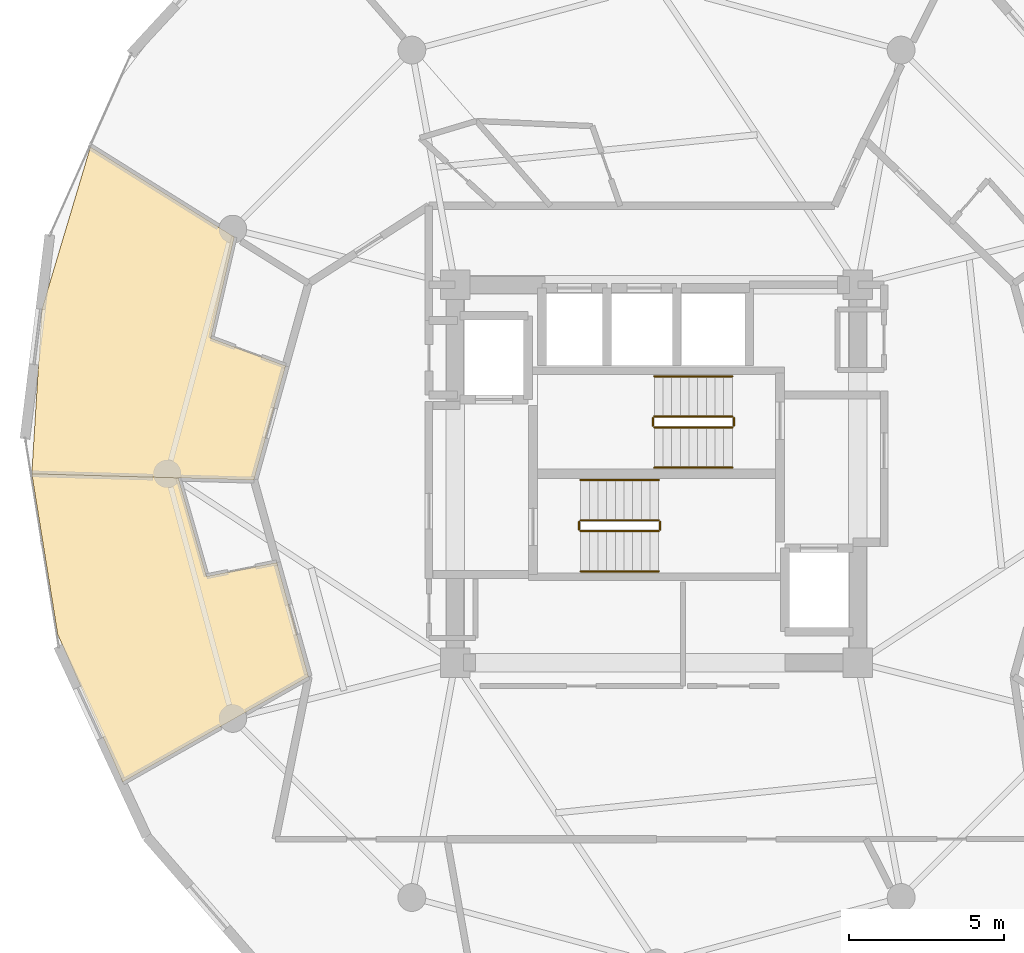
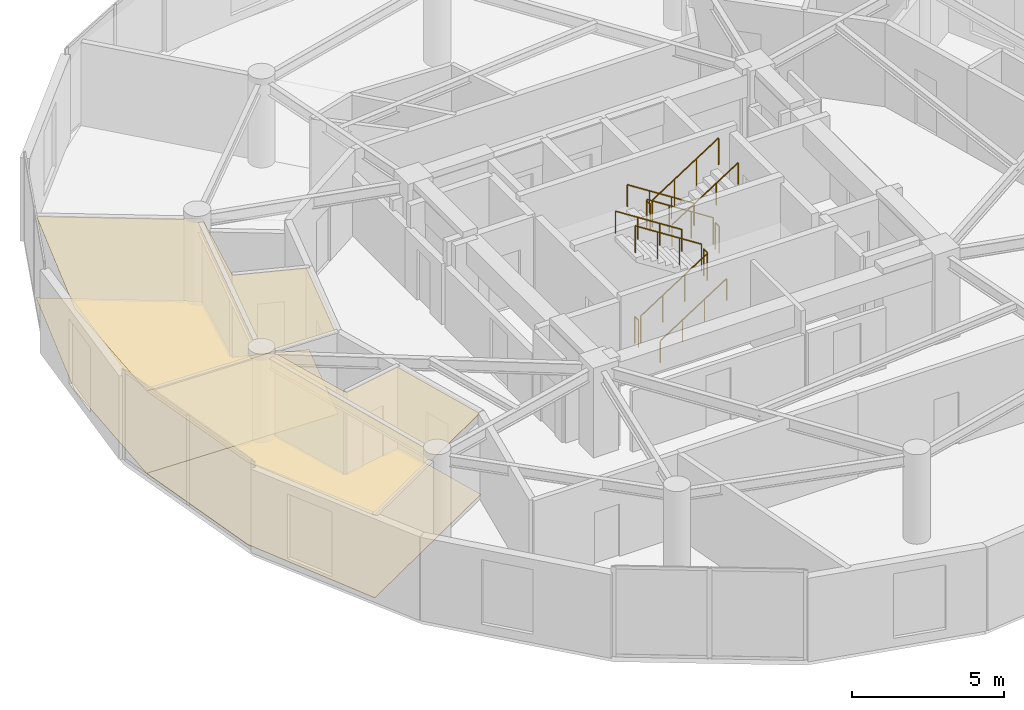
# One storey, part 21 of 22: 12 railings, 4 coverings.
"""IFC4 building model written with IfcOpenShell, lengths in metres."""

import ifcopenshell
import ifcopenshell.guid

model = None  # the IFC model being written
_history = None  # IfcOwnerHistory: only IFC2X3 demands one
_inside = {}  # id of a spatial element -> (the spatial element, [elements in it])
_under = {}  # id of a project, library or spatial element -> (it, [spatial elements below it])
_declared = {}  # id of a project -> (the project, [libraries it declares])
_typed = {}  # id of a type object -> (the type object, [elements of that type])
_made_of = {}  # id of a material, layer set ... -> (it, [elements and type objects made of it])


def new_model(schema):
    """Start an empty IFC model of exactly this schema.

    Asked for "IFC4X3", IfcOpenShell would pick the latest addendum, in which some entities
    have other attributes; the version numbers below select the first issue.
    IFC2X3 requires an IfcOwnerHistory on every rooted entity: one is made here for all.
    """
    global model, _history
    if schema == "IFC4X3":
        model = ifcopenshell.file(schema_version=(4, 3, 0, 0))
    else:
        model = ifcopenshell.file(schema=schema)
    _inside.clear()
    _under.clear()
    _declared.clear()
    _typed.clear()
    _made_of.clear()
    _history = None
    if model.schema == "IFC2X3":
        org = make("IfcOrganization", Name="unknown")
        user = make(
            "IfcPersonAndOrganization",
            ThePerson=make("IfcPerson", FamilyName="unknown"),
            TheOrganization=org,
        )
        app = make(
            "IfcApplication",
            ApplicationDeveloper=org,
            Version="unknown",
            ApplicationFullName="unknown",
            ApplicationIdentifier="unknown",
        )
        _history = make(
            "IfcOwnerHistory",
            OwningUser=user,
            OwningApplication=app,
            ChangeAction="ADDED",
            CreationDate=0,
        )
    return model


def make(cls, **values):
    """One entity of the class cls with the attributes given. An attribute that is None is left unset."""
    return model.create_entity(
        cls, **{name: value for name, value in values.items() if value is not None}
    )


def rooted(cls, **values):
    """An entity with a GlobalId (a new one), such as an element, a storey or a relation."""
    return make(cls, GlobalId=ifcopenshell.guid.new(), OwnerHistory=_history, **values)


def si_unit(unit_type, name, prefix=None):
    """IfcSIUnit, for example si_unit("LENGTHUNIT", "METRE", prefix="MILLI")."""
    return make("IfcSIUnit", UnitType=unit_type, Prefix=prefix, Name=name)


def assignment(units):
    """IfcUnitAssignment: the units of a project."""
    return None if units is None else make("IfcUnitAssignment", Units=units)


def point(xyz):
    """IfcCartesianPoint."""
    return None if xyz is None else make("IfcCartesianPoint", Coordinates=xyz)


def direction(xyz):
    """IfcDirection."""
    return None if xyz is None else make("IfcDirection", DirectionRatios=xyz)


def frame(location, z_axis=None, x_axis=None):
    """IfcAxis2Placement3D, a coordinate frame: its origin and axes. An axis left out is left unset."""
    return make(
        "IfcAxis2Placement3D",
        Location=point(location),
        Axis=direction(z_axis),
        RefDirection=direction(x_axis),
    )


def frame_2d(location, x_axis=None):
    """IfcAxis2Placement2D, a coordinate frame in the plane: its origin and x axis."""
    return make(
        "IfcAxis2Placement2D", Location=point(location), RefDirection=direction(x_axis)
    )


def origin():
    """The frame at (0, 0, 0) with its axes left unset."""
    return frame((0.0, 0.0, 0.0))


def origin_2d():
    """The frame at (0, 0) in the plane with its x axis left unset."""
    return frame_2d((0.0, 0.0))


def place(relative_to, where):
    """IfcLocalPlacement: puts the frame where relative to a parent placement (None: the world)."""
    return make(
        "IfcLocalPlacement", PlacementRelTo=relative_to, RelativePlacement=where
    )


def context(
    kind, dimensions, precision=None, world=None, true_north=None, identifier=None
):
    """IfcGeometricRepresentationContext, for example the 3D "Model" context."""
    return make(
        "IfcGeometricRepresentationContext",
        ContextIdentifier=identifier,
        ContextType=kind,
        CoordinateSpaceDimension=dimensions,
        Precision=precision,
        WorldCoordinateSystem=world,
        TrueNorth=true_north,
    )


def subcontext(parent, identifier, kind, view, scale=None):
    """IfcGeometricRepresentationSubContext, for example "Body" below "Model"."""
    return make(
        "IfcGeometricRepresentationSubContext",
        ContextIdentifier=identifier,
        ContextType=kind,
        ParentContext=parent,
        TargetScale=scale,
        TargetView=view,
    )


def project(units=None, contexts=None):
    """IfcProject with its units and contexts."""
    return rooted(
        "IfcProject",
        Name="project",
        RepresentationContexts=contexts,
        UnitsInContext=assignment(units),
    )


def spatial(cls, under=None, at=None, **own):
    """A site, building, storey or space (cls), placed at a placement, below another one or the project."""
    s = rooted(cls, ObjectPlacement=at, **own)
    if under is not None:
        _under.setdefault(under.id(), (under, []))[1].append(s)
    return s


def polyline(points):
    """IfcPolyline through the points."""
    return make("IfcPolyline", Points=[point(p) for p in points])


def profile(cls, at=None, kind="AREA", **sizes):
    """A parametric profile (cls). Its sizes go by their IFC names, for example OverallWidth=200.0."""
    return make(cls, ProfileType=kind, Position=at, **sizes)


def circle(**sizes):
    """IfcCircleProfileDef."""
    return profile("IfcCircleProfileDef", **sizes)


def outline(outer, holes=None, kind="AREA"):
    """IfcArbitraryClosedProfileDef: a profile drawn as a closed curve; with holes, ...WithVoids."""
    if holes is None:
        return make("IfcArbitraryClosedProfileDef", ProfileType=kind, OuterCurve=outer)
    return make(
        "IfcArbitraryProfileDefWithVoids",
        ProfileType=kind,
        OuterCurve=outer,
        InnerCurves=holes,
    )


def extrude(swept, where, along, depth):
    """IfcExtrudedAreaSolid: the profile swept, set in the frame where, extruded along a direction by depth."""
    return make(
        "IfcExtrudedAreaSolid",
        SweptArea=swept,
        Position=where,
        ExtrudedDirection=direction(along),
        Depth=depth,
    )


def shape(context_of_items, identifier, shape_type, items):
    """IfcShapeRepresentation: the items that make up one representation, for example the "Body"."""
    return make(
        "IfcShapeRepresentation",
        ContextOfItems=context_of_items,
        RepresentationIdentifier=identifier,
        RepresentationType=shape_type,
        Items=items,
    )


def material(Name=None, Category=None):
    """IfcMaterial."""
    return make("IfcMaterial", Name=Name, Category=Category)


def layer(
    of_material, thickness, ventilated=None, Name=None, Category=None, Priority=None
):
    """IfcMaterialLayer: one layer of a wall or slab, of a material (None: an air gap)."""
    return make(
        "IfcMaterialLayer",
        Material=of_material,
        LayerThickness=thickness,
        IsVentilated=ventilated,
        Name=Name,
        Category=Category,
        Priority=Priority,
    )


def layer_set(layers, Name=None):
    """IfcMaterialLayerSet."""
    return make("IfcMaterialLayerSet", MaterialLayers=layers, LayerSetName=Name)


def made_of(thing, what):
    """Note that an element or type object is made of a material, layer set ...; save() writes the relation."""
    if what is not None:
        _made_of.setdefault(what.id(), (what, []))[1].append(thing)
    return thing


def type_object(cls, material=None, **own):
    """A type object (cls), such as IfcWallType, which elements share."""
    return made_of(rooted(cls, **own), material)


def element(
    cls,
    number,
    at=None,
    inside=None,
    cuts=None,
    type_object=None,
    material=None,
    context=None,
    identifier="Body",
    shape_type=None,
    held_by="IfcProductDefinitionShape",
    body=None,
    shapes=None,
    **own,
):
    """One element of the class cls, such as IfcWall. Its Tag is "e" and its number.

    at: its placement. inside: the storey or other place that contains it. cuts: it is an
    opening in that element (IfcRelVoidsElement). A single representation is given by context,
    identifier, shape_type and body (its items); several are given by shapes. held_by: the class
    of the entity that holds the representations. save() writes the other relations.
    """
    e = rooted(cls, Tag="e%d" % number, ObjectPlacement=at, **own)
    if body is not None:
        shapes = [shape(context, identifier, shape_type, body)]
    if shapes is not None:
        e.Representation = make(held_by, Representations=shapes)
    if inside is not None:
        _inside.setdefault(inside.id(), (inside, []))[1].append(e)
    if cuts is not None:
        rooted(
            "IfcRelVoidsElement", RelatingBuildingElement=cuts, RelatedOpeningElement=e
        )
    if type_object is not None:
        _typed.setdefault(type_object.id(), (type_object, []))[1].append(e)
    return made_of(e, material)


def aggregate(whole, parts):
    """IfcRelAggregates: a whole, such as a stair, and the parts it consists of."""
    return rooted("IfcRelAggregates", RelatingObject=whole, RelatedObjects=parts)


def save(model, path):
    """Write the relations noted so far, then the file.

    IfcRelAggregates (storeys below a building ...), IfcRelContainedInSpatialStructure (elements
    in a storey), IfcRelDefinesByType, IfcRelAssociatesMaterial and IfcRelDeclares: one each for
    every whole, place, type object, material and project.
    """
    for whole, parts in _under.values():
        aggregate(whole, parts)
    for where, things in _inside.values():
        rooted(
            "IfcRelContainedInSpatialStructure",
            RelatedElements=things,
            RelatingStructure=where,
        )
    for kind, things in _typed.values():
        rooted("IfcRelDefinesByType", RelatedObjects=things, RelatingType=kind)
    for what, things in _made_of.values():
        rooted("IfcRelAssociatesMaterial", RelatedObjects=things, RelatingMaterial=what)
    for by, libraries in _declared.values():
        rooted("IfcRelDeclares", RelatingContext=by, RelatedDefinitions=libraries)
    model.write(path)


model = new_model("IFC4")

# Units and contexts
model_context = context("Model", 3, precision=1e-05, world=origin(), true_north=direction((0.0, 1.0)))
body_context = subcontext(model_context, "Body", "Model", "MODEL_VIEW")
ifc_project = project(units=[si_unit("LENGTHUNIT", "METRE"), si_unit("AREAUNIT", "SQUARE_METRE"), si_unit("VOLUMEUNIT", "CUBIC_METRE"), si_unit("PLANEANGLEUNIT", "RADIAN"), si_unit("MASSUNIT", "GRAM", prefix="KILO")], contexts=[model_context])

# Site, building, storey
site_placement = place(None, origin())
site = spatial("IfcSite", under=ifc_project, at=site_placement, CompositionType="ELEMENT")
building_placement = place(site_placement, origin())
building = spatial("IfcBuilding", under=site, at=building_placement, Name="Solvirekh Grand Hotel", CompositionType="ELEMENT")
storey_placement = place(building_placement, frame((0.0, 0.0, 227.199951171875)))
storey = spatial("IfcBuildingStorey", under=building, at=storey_placement, Name="L59", CompositionType="ELEMENT", Elevation=227.199951171875)

# Coverings
ifc_material_1 = material(Name="Acoustic Mineral Ceiling Tile")
ifc_layer_1 = layer(ifc_material_1, 0.02490234375)
ifc_layer_set_1 = layer_set([ifc_layer_1], Name="Acoustic Mineral Ceiling Tile")
covering_type_1 = type_object("IfcCoveringType", Name="Cov_Ceiling_Acoustic", PredefinedType="CEILING", material=ifc_layer_set_1)
covering_1_placement = place(storey_placement, frame((0.0, 0.0, 3.31005859375)))
element("IfcCovering", 1, at=covering_1_placement, inside=storey, type_object=covering_type_1, Name="L59 Deluxe Guestroom 6103 acoustic ceiling", PredefinedType="CEILING", context=body_context, shape_type="SweptSolid", body=[
    extrude(outline(polyline([(-14.39111328125, 4.3798828125), (-13.633056640625, 7.64697265625), (-18.281005859375, 10.553955078125), (-19.845947265625, 5.318115234375), (-20.174072265625, 0.0), (-13.0, -0.199951171875), (-11.97802734375, 3.48291015625), (-14.39111328125, 4.3798828125)])), origin(), (0.0, 0.0, 1.0), 0.01806640625),
])
covering_2_placement = place(storey_placement, frame((0.0, 0.0, 3.31005859375)))
element("IfcCovering", 2, at=covering_2_placement, inside=storey, type_object=covering_type_1, Name="L59 Deluxe Guestroom 6104 acoustic ceiling", PredefinedType="CEILING", context=body_context, shape_type="SweptSolid", body=[
    extrude(outline(polyline([(-14.531005859375, -3.31298828125), (-15.43896484375, -0.132080078125), (-20.174072265625, 0.0), (-19.337890625, -5.181884765625), (-17.236083984375, -9.950927734375), (-11.238037109375, -6.550048828125), (-12.260009765625, -2.866943359375), (-14.531005859375, -3.31298828125)])), origin(), (0.0, 0.0, 1.0), 0.01806640625),
])
ifc_material_2 = material(Name="Porcelain Stoneware Flooring", Category="masonry")
ifc_layer_2 = layer(ifc_material_2, 0.030029296875)
ifc_layer_set_2 = layer_set([ifc_layer_2], Name="Porcelain Stoneware Flooring")
covering_type_2 = type_object("IfcCoveringType", Name="Cov_Floor_Stone", PredefinedType="FLOORING", material=ifc_layer_set_2)
covering_3_placement = place(storey_placement, origin())
element("IfcCovering", 3, at=covering_3_placement, inside=storey, type_object=covering_type_2, Name="L59 Deluxe Guestroom 6103 polished granite flooring", PredefinedType="FLOORING", context=body_context, shape_type="SweptSolid", body=[
    extrude(outline(polyline([(-14.39111328125, 4.3798828125), (-13.633056640625, 7.64697265625), (-18.281005859375, 10.553955078125), (-19.845947265625, 5.318115234375), (-20.174072265625, 0.0), (-13.0, -0.199951171875), (-11.97802734375, 3.48291015625), (-14.39111328125, 4.3798828125)])), origin(), (0.0, 0.0, 1.0), 0.02001953125),
])
covering_4_placement = place(storey_placement, origin())
element("IfcCovering", 4, at=covering_4_placement, inside=storey, type_object=covering_type_2, Name="L59 Deluxe Guestroom 6104 polished granite flooring", PredefinedType="FLOORING", context=body_context, shape_type="SweptSolid", body=[
    extrude(outline(polyline([(-14.531005859375, -3.31298828125), (-15.43896484375, -0.132080078125), (-20.174072265625, 0.0), (-19.337890625, -5.181884765625), (-17.236083984375, -9.950927734375), (-11.238037109375, -6.550048828125), (-12.260009765625, -2.866943359375), (-14.531005859375, -3.31298828125)])), origin(), (0.0, 0.0, 1.0), 0.02001953125),
])

# Railings
ifc_material_3 = material(Name="Steel S355", Category="steel")
railing_type_1 = type_object("IfcRailingType", Name="Guard_Stair_1100", PredefinedType="GUARDRAIL", material=ifc_material_3)
railing_1_placement = place(storey_placement, frame((-2.449951171875, -1.85009765625, 0.179931640625)))
element("IfcRailing", 5, at=railing_1_placement, inside=storey, type_object=railing_type_1, Name="L59 ST-1 stair guard 1", PredefinedType="GUARDRAIL", context=body_context, shape_type="SweptSolid", body=[
    extrude(circle(Radius=0.02392578125, at=origin_2d()), frame((0.0, 0.0, 1.076171875), z_axis=(0.841162588446, 0.0, 0.540782303519), x_axis=(0.0, 1.0, 0.0)), (0.0, 0.0, 1.0), 2.995849609375),
    extrude(circle(Radius=0.02099609375, at=origin_2d()), origin(), (0.0, 0.0, 1.0), 1.052001953125),
    extrude(circle(Radius=0.02099609375, at=origin_2d()), frame((0.840087890625, 0.0, 0.5400390625)), (0.0, 0.0, 1.0), 1.052001953125),
    extrude(circle(Radius=0.02099609375, at=origin_2d()), frame((1.679931640625, 0.0, 1.080078125)), (0.0, 0.0, 1.0), 1.052001953125),
    extrude(circle(Radius=0.02099609375, at=origin_2d()), frame((2.52001953125, 0.0, 1.6201171875)), (0.0, 0.0, 1.0), 1.052001953125),
])
railing_2_placement = place(storey_placement, frame((0.1201171875, -1.800048828125, 1.800048828125)))
element("IfcRailing", 6, at=railing_2_placement, inside=storey, type_object=railing_type_1, Name="L59 ST-1 stair guard 2", PredefinedType="GUARDRAIL", context=body_context, shape_type="SweptSolid", body=[
    extrude(circle(Radius=0.02392578125, at=origin_2d()), frame((0.0, 0.0, 1.076171875), z_axis=(0.0, 1.0, 0.0), x_axis=(-1.0, 0.0, 0.0)), (0.0, 0.0, 1.0), 0.25),
    extrude(circle(Radius=0.02099609375, at=origin_2d()), origin(), (0.0, 0.0, 1.0), 1.052001953125),
    extrude(circle(Radius=0.02099609375, at=origin_2d()), frame((0.0, 0.25, 0.0)), (0.0, 0.0, 1.0), 1.052001953125),
])
railing_3_placement = place(storey_placement, frame((0.070068359375, -1.5, 1.97998046875)))
element("IfcRailing", 7, at=railing_3_placement, inside=storey, type_object=railing_type_1, Name="L59 ST-1 stair guard 3", PredefinedType="GUARDRAIL", context=body_context, shape_type="SweptSolid", body=[
    extrude(circle(Radius=0.02392578125, at=origin_2d()), frame((0.0, 0.0, 1.076171875), z_axis=(-0.841162588446, 0.0, 0.540782303519), x_axis=(0.0, -1.0, 0.0)), (0.0, 0.0, 1.0), 2.995849609375),
    extrude(circle(Radius=0.02099609375, at=origin_2d()), origin(), (0.0, 0.0, 1.0), 1.052001953125),
    extrude(circle(Radius=0.02099609375, at=origin_2d()), frame((-0.840087890625, 0.0, 0.5400390625)), (0.0, 0.0, 1.0), 1.052001953125),
    extrude(circle(Radius=0.02099609375, at=origin_2d()), frame((-1.679931640625, 0.0, 1.080078125)), (0.0, 0.0, 1.0), 1.052001953125),
    extrude(circle(Radius=0.02099609375, at=origin_2d()), frame((-2.52001953125, 0.0, 1.6201171875)), (0.0, 0.0, 1.0), 1.052001953125),
])
railing_4_placement = place(storey_placement, frame((-2.5, -1.800048828125, 0.0)))
element("IfcRailing", 8, at=railing_4_placement, inside=storey, type_object=railing_type_1, Name="L59 ST-1 stair guard 4", PredefinedType="GUARDRAIL", context=body_context, shape_type="SweptSolid", body=[
    extrude(circle(Radius=0.02392578125, at=origin_2d()), frame((0.0, 0.0, 1.076171875), z_axis=(0.0, 1.0, 0.0), x_axis=(-1.0, 0.0, 0.0)), (0.0, 0.0, 1.0), 0.25),
    extrude(circle(Radius=0.02099609375, at=origin_2d()), origin(), (0.0, 0.0, 1.0), 1.052001953125),
    extrude(circle(Radius=0.02099609375, at=origin_2d()), frame((0.0, 0.25, 0.0)), (0.0, 0.0, 1.0), 1.052001953125),
])
railing_5_placement = place(storey_placement, frame((2.449951171875, 1.85009765625, 0.179931640625)))
element("IfcRailing", 9, at=railing_5_placement, inside=storey, type_object=railing_type_1, Name="L59 ST-2 stair guard 1", PredefinedType="GUARDRAIL", context=body_context, shape_type="SweptSolid", body=[
    extrude(circle(Radius=0.02392578125, at=origin_2d()), frame((0.0, 0.0, 1.076171875), z_axis=(-0.841162588446, 0.0, 0.540782303519), x_axis=(0.0, -1.0, 0.0)), (0.0, 0.0, 1.0), 2.995849609375),
    extrude(circle(Radius=0.02099609375, at=origin_2d()), origin(), (0.0, 0.0, 1.0), 1.052001953125),
    extrude(circle(Radius=0.02099609375, at=origin_2d()), frame((-0.840087890625, 0.0, 0.5400390625)), (0.0, 0.0, 1.0), 1.052001953125),
    extrude(circle(Radius=0.02099609375, at=origin_2d()), frame((-1.679931640625, 0.0, 1.080078125)), (0.0, 0.0, 1.0), 1.052001953125),
    extrude(circle(Radius=0.02099609375, at=origin_2d()), frame((-2.52001953125, 0.0, 1.6201171875)), (0.0, 0.0, 1.0), 1.052001953125),
])
railing_6_placement = place(storey_placement, frame((-0.1201171875, 1.800048828125, 1.800048828125)))
element("IfcRailing", 10, at=railing_6_placement, inside=storey, type_object=railing_type_1, Name="L59 ST-2 stair guard 2", PredefinedType="GUARDRAIL", context=body_context, shape_type="SweptSolid", body=[
    extrude(circle(Radius=0.02392578125, at=origin_2d()), frame((0.0, 0.0, 1.076171875), z_axis=(0.0, -1.0, 0.0), x_axis=(1.0, 0.0, 0.0)), (0.0, 0.0, 1.0), 0.25),
    extrude(circle(Radius=0.02099609375, at=origin_2d()), origin(), (0.0, 0.0, 1.0), 1.052001953125),
    extrude(circle(Radius=0.02099609375, at=origin_2d()), frame((0.0, -0.25, 0.0)), (0.0, 0.0, 1.0), 1.052001953125),
])
railing_7_placement = place(storey_placement, frame((-0.070068359375, 1.5, 1.97998046875)))
element("IfcRailing", 11, at=railing_7_placement, inside=storey, type_object=railing_type_1, Name="L59 ST-2 stair guard 3", PredefinedType="GUARDRAIL", context=body_context, shape_type="SweptSolid", body=[
    extrude(circle(Radius=0.02392578125, at=origin_2d()), frame((0.0, 0.0, 1.076171875), z_axis=(0.841162588446, 0.0, 0.540782303519), x_axis=(0.0, 1.0, 0.0)), (0.0, 0.0, 1.0), 2.995849609375),
    extrude(circle(Radius=0.02099609375, at=origin_2d()), origin(), (0.0, 0.0, 1.0), 1.052001953125),
    extrude(circle(Radius=0.02099609375, at=origin_2d()), frame((0.840087890625, 0.0, 0.5400390625)), (0.0, 0.0, 1.0), 1.052001953125),
    extrude(circle(Radius=0.02099609375, at=origin_2d()), frame((1.679931640625, 0.0, 1.080078125)), (0.0, 0.0, 1.0), 1.052001953125),
    extrude(circle(Radius=0.02099609375, at=origin_2d()), frame((2.52001953125, 0.0, 1.6201171875)), (0.0, 0.0, 1.0), 1.052001953125),
])
railing_8_placement = place(storey_placement, frame((2.5, 1.800048828125, 0.0)))
element("IfcRailing", 12, at=railing_8_placement, inside=storey, type_object=railing_type_1, Name="L59 ST-2 stair guard 4", PredefinedType="GUARDRAIL", context=body_context, shape_type="SweptSolid", body=[
    extrude(circle(Radius=0.02392578125, at=origin_2d()), frame((0.0, 0.0, 1.076171875), z_axis=(0.0, -1.0, 0.0), x_axis=(1.0, 0.0, 0.0)), (0.0, 0.0, 1.0), 0.25),
    extrude(circle(Radius=0.02099609375, at=origin_2d()), origin(), (0.0, 0.0, 1.0), 1.052001953125),
    extrude(circle(Radius=0.02099609375, at=origin_2d()), frame((0.0, -0.25, 0.0)), (0.0, 0.0, 1.0), 1.052001953125),
])
ifc_material_4 = material(Name="Anodized Bronze Aluminium 6063-T6", Category="aluminium")
railing_type_2 = type_object("IfcRailingType", Name="Handrail_Wall_900", PredefinedType="HANDRAIL", material=ifc_material_4)
railing_9_placement = place(storey_placement, frame((-2.449951171875, -3.14990234375, 0.179931640625)))
element("IfcRailing", 13, at=railing_9_placement, inside=storey, type_object=railing_type_2, Name="L59 ST-1 stair handrail 1", PredefinedType="HANDRAIL", context=body_context, shape_type="SweptSolid", body=[
    extrude(circle(Radius=0.02392578125, at=origin_2d()), frame((0.0, 0.0, 0.8759765625), z_axis=(0.841162588446, 0.0, 0.540782303519), x_axis=(0.0, 1.0, 0.0)), (0.0, 0.0, 1.0), 2.995849609375),
    extrude(circle(Radius=0.02099609375, at=origin_2d()), origin(), (0.0, 0.0, 1.0), 0.851806640625),
    extrude(circle(Radius=0.02099609375, at=origin_2d()), frame((0.840087890625, 0.0, 0.5400390625)), (0.0, 0.0, 1.0), 0.851806640625),
    extrude(circle(Radius=0.02099609375, at=origin_2d()), frame((1.679931640625, 0.0, 1.080078125)), (0.0, 0.0, 1.0), 0.851806640625),
    extrude(circle(Radius=0.02099609375, at=origin_2d()), frame((2.52001953125, 0.0, 1.6201171875)), (0.0, 0.0, 1.0), 0.851806640625),
])
for number, where, name in (
    (14, (0.070068359375, -0.199951171875, 1.97998046875), "L59 ST-1 stair handrail 2"),
    (15, (2.449951171875, 3.14990234375, 0.179931640625), "L59 ST-2 stair handrail 1"),
):
    element("IfcRailing", number, at=place(storey_placement, frame(where)), inside=storey, type_object=railing_type_2, Name=name, PredefinedType="HANDRAIL", context=body_context, shape_type="SweptSolid", body=[
        extrude(circle(Radius=0.02392578125, at=origin_2d()), frame((0.0, 0.0, 0.8759765625), z_axis=(-0.841162588446, 0.0, 0.540782303519), x_axis=(0.0, -1.0, 0.0)), (0.0, 0.0, 1.0), 2.995849609375),
        extrude(circle(Radius=0.02099609375, at=origin_2d()), origin(), (0.0, 0.0, 1.0), 0.851806640625),
        extrude(circle(Radius=0.02099609375, at=origin_2d()), frame((-0.840087890625, 0.0, 0.5400390625)), (0.0, 0.0, 1.0), 0.851806640625),
        extrude(circle(Radius=0.02099609375, at=origin_2d()), frame((-1.679931640625, 0.0, 1.080078125)), (0.0, 0.0, 1.0), 0.851806640625),
        extrude(circle(Radius=0.02099609375, at=origin_2d()), frame((-2.52001953125, 0.0, 1.6201171875)), (0.0, 0.0, 1.0), 0.851806640625),
    ])
railing_10_placement = place(storey_placement, frame((-0.070068359375, 0.199951171875, 1.97998046875)))
element("IfcRailing", 16, at=railing_10_placement, inside=storey, type_object=railing_type_2, Name="L59 ST-2 stair handrail 2", PredefinedType="HANDRAIL", context=body_context, shape_type="SweptSolid", body=[
    extrude(circle(Radius=0.02392578125, at=origin_2d()), frame((0.0, 0.0, 0.8759765625), z_axis=(0.841162588446, 0.0, 0.540782303519), x_axis=(0.0, 1.0, 0.0)), (0.0, 0.0, 1.0), 2.995849609375),
    extrude(circle(Radius=0.02099609375, at=origin_2d()), origin(), (0.0, 0.0, 1.0), 0.851806640625),
    extrude(circle(Radius=0.02099609375, at=origin_2d()), frame((0.840087890625, 0.0, 0.5400390625)), (0.0, 0.0, 1.0), 0.851806640625),
    extrude(circle(Radius=0.02099609375, at=origin_2d()), frame((1.679931640625, 0.0, 1.080078125)), (0.0, 0.0, 1.0), 0.851806640625),
    extrude(circle(Radius=0.02099609375, at=origin_2d()), frame((2.52001953125, 0.0, 1.6201171875)), (0.0, 0.0, 1.0), 0.851806640625),
])

save(model, "model.ifc")
